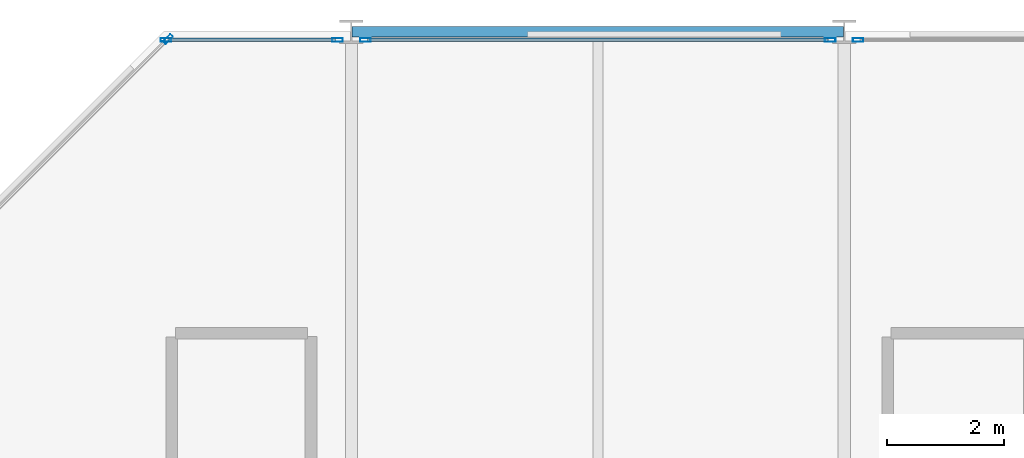
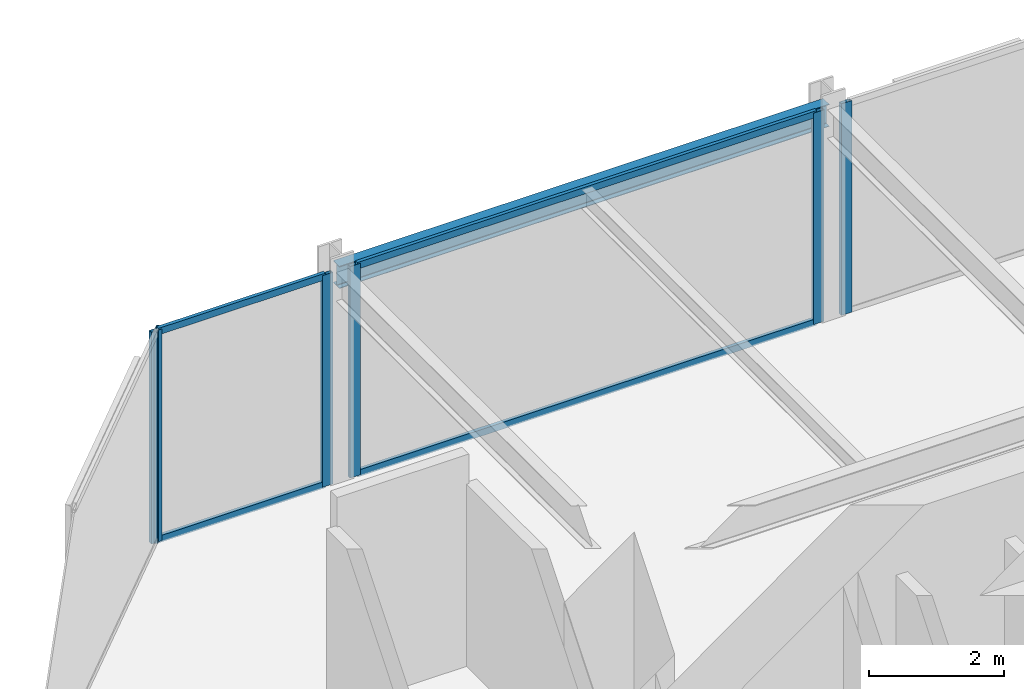
# One storey, part 21 of 29: 10 members, 1 beam, 4 elements without a shape of their own.
"""IFC4 building model written with IfcOpenShell, lengths in metres."""

from ifc_helpers import new_model, si_unit, direction, frame, origin, origin_2d, place, context, subcontext, project, spatial, hollow_rectangle, i_section, extrude, material, layer, layer_set, material_profile, profile_set, type_object, element, aggregate, save


model = new_model("IFC4")

# Units and contexts
model_context = context("Model", 3, precision=1e-05, world=origin(), true_north=direction((0.0, 1.0)))
body_context = subcontext(model_context, "Body", "Model", "MODEL_VIEW")
ifc_project = project(units=[si_unit("LENGTHUNIT", "METRE"), si_unit("AREAUNIT", "SQUARE_METRE"), si_unit("VOLUMEUNIT", "CUBIC_METRE"), si_unit("PLANEANGLEUNIT", "RADIAN"), si_unit("MASSUNIT", "GRAM", prefix="KILO")], contexts=[model_context])

# Site, building, storey
site_placement = place(None, origin())
site = spatial("IfcSite", under=ifc_project, at=site_placement, CompositionType="ELEMENT")
building_placement = place(site_placement, origin())
building = spatial("IfcBuilding", under=site, at=building_placement, Name="Nerrivon Quay Data Exchange", CompositionType="ELEMENT")
storey_placement = place(building_placement, frame((0.0, 0.0, 121.300048828125)))
storey = spatial("IfcBuildingStorey", under=building, at=storey_placement, Name="L28", CompositionType="ELEMENT", Elevation=121.300048828125)

# Beam
ifc_material_1 = material(Name="Steel Grade 350", Category="steel")
ifc_material_profile_1 = material_profile(ifc_material_1, i_section(OverallWidth=0.177978515625, OverallDepth=0.403076171875, WebThickness=0.007568359375, FlangeThickness=0.010986328125, FilletRadius=0.011474609375, at=origin_2d()), Name="410UB53.7")
ifc_profile_set_1 = profile_set([ifc_material_profile_1], Name="Steel Grade 350")
beam_type = type_object("IfcBeamType", Name="BM-SP2-410UB54", PredefinedType="SPANDREL", material=ifc_profile_set_1)
beam_placement = place(storey_placement, frame((8.41259765625, 50.39990234375, 3.62353515625), z_axis=(1.0, 0.0, 0.0), x_axis=(0.0, 1.0, 0.0)))
element("IfcBeam", 1, at=beam_placement, inside=storey, type_object=beam_type, Name="L28 EW Girder Y=50.4 (8.4..16.8)", PredefinedType="SPANDREL", context=body_context, shape_type="SweptSolid", body=[
    extrude(i_section(OverallWidth=0.177978515625, OverallDepth=0.403076171875, WebThickness=0.007568359375, FlangeThickness=0.010986328125, FilletRadius=0.011474609375, at=origin_2d()), origin(), (0.0, 0.0, 1.0), 8.375),
])

# Curtain wall, member
ifc_material_2 = material(Name="Anodised aluminium 6063-T6", Category="aluminium")
ifc_layer = layer(ifc_material_2, 0.2099609375)
ifc_layer_set = layer_set([ifc_layer], Name="Anodised aluminium 6063-T6")
curtain_wall_type = type_object("IfcCurtainWallType", Name="CW-SYS-02", PredefinedType="NOTDEFINED", material=ifc_layer_set)
curtain_wall_1_placement = place(storey_placement, origin())
curtain_wall_1 = element("IfcCurtainWall", 2, at=curtain_wall_1_placement, inside=storey, type_object=curtain_wall_type, Name="L28 Unitised Curtain Wall 17", PredefinedType="NOTDEFINED")
ifc_material_profile_2 = material_profile(ifc_material_2, hollow_rectangle(XDim=0.06494140625, YDim=0.179931640625, WallThickness=0.00341796875, at=origin_2d()), Name="ALU-MULL-180x65")
ifc_profile_set_2 = profile_set([ifc_material_profile_2], Name="Anodised aluminium 6063-T6")
member_type_1 = type_object("IfcMemberType", Name="CWM-180x65", PredefinedType="MULLION", material=ifc_profile_set_2)
member_1_placement = place(storey_placement, frame((5.2724609375, 50.2744140625, 0.0), z_axis=(0.0, 0.0, 1.0), x_axis=(-0.707106781187, 0.707106781187, 0.0)))
member_1 = element("IfcMember", 3, at=member_1_placement, type_object=member_type_1, Name="CW02 mullion 2", PredefinedType="MULLION", context=body_context, shape_type="SweptSolid", body=[
    extrude(hollow_rectangle(XDim=0.06494140625, YDim=0.179931640625, WallThickness=0.00341796875, at=origin_2d()), origin(), (0.0, 0.0, 1.0), 3.824951171875),
])
aggregate(curtain_wall_1, [member_1])

# Curtain wall, members
curtain_wall_2_placement = place(storey_placement, origin())
curtain_wall_2 = element("IfcCurtainWall", 4, at=curtain_wall_2_placement, inside=storey, type_object=curtain_wall_type, Name="L28 Unitised Curtain Wall 18", PredefinedType="NOTDEFINED")
member_2_placement = place(storey_placement, frame((5.237548828125, 50.260009765625, 0.0), z_axis=(0.0, 0.0, 1.0), x_axis=(0.0, 1.0, 0.0)))
member_2 = element("IfcMember", 5, at=member_2_placement, type_object=member_type_1, Name="CW02 mullion 1", PredefinedType="MULLION", context=body_context, shape_type="SweptSolid", body=[
    extrude(hollow_rectangle(XDim=0.06494140625, YDim=0.179931640625, WallThickness=0.00341796875, at=origin_2d()), origin(), (0.0, 0.0, 1.0), 3.824951171875),
])
member_3_placement = place(storey_placement, frame((8.16259765625, 50.260009765625, 0.0), z_axis=(0.0, 0.0, 1.0), x_axis=(0.0, 1.0, 0.0)))
member_3 = element("IfcMember", 6, at=member_3_placement, type_object=member_type_1, Name="CW02 mullion 2", PredefinedType="MULLION", context=body_context, shape_type="SweptSolid", body=[
    extrude(hollow_rectangle(XDim=0.06494140625, YDim=0.179931640625, WallThickness=0.00341796875, at=origin_2d()), origin(), (0.0, 0.0, 1.0), 3.824951171875),
])

curtain_wall_3_placement = place(storey_placement, origin())
curtain_wall_3 = element("IfcCurtainWall", 7, at=curtain_wall_3_placement, inside=storey, type_object=curtain_wall_type, Name="L28 Unitised Curtain Wall 19", PredefinedType="NOTDEFINED")
member_4_placement = place(storey_placement, frame((8.637451171875, 50.260009765625, 0.0), z_axis=(0.0, 0.0, 1.0), x_axis=(0.0, 1.0, 0.0)))
member_4 = element("IfcMember", 8, at=member_4_placement, type_object=member_type_1, Name="CW02 mullion 1", PredefinedType="MULLION", context=body_context, shape_type="SweptSolid", body=[
    extrude(hollow_rectangle(XDim=0.06494140625, YDim=0.179931640625, WallThickness=0.00341796875, at=origin_2d()), origin(), (0.0, 0.0, 1.0), 3.824951171875),
])
member_5_placement = place(storey_placement, frame((16.5625, 50.260009765625, 0.0), z_axis=(0.0, 0.0, 1.0), x_axis=(0.0, 1.0, 0.0)))
member_5 = element("IfcMember", 9, at=member_5_placement, type_object=member_type_1, Name="CW02 mullion 2", PredefinedType="MULLION", context=body_context, shape_type="SweptSolid", body=[
    extrude(hollow_rectangle(XDim=0.06494140625, YDim=0.179931640625, WallThickness=0.00341796875, at=origin_2d()), origin(), (0.0, 0.0, 1.0), 3.824951171875),
])

# Curtain wall, member
curtain_wall_4_placement = place(storey_placement, origin())
curtain_wall_4 = element("IfcCurtainWall", 10, at=curtain_wall_4_placement, inside=storey, type_object=curtain_wall_type, Name="L28 Unitised Curtain Wall 20", PredefinedType="NOTDEFINED")
member_6_placement = place(storey_placement, frame((17.03759765625, 50.260009765625, 0.0), z_axis=(0.0, 0.0, 1.0), x_axis=(0.0, 1.0, 0.0)))
member_6 = element("IfcMember", 11, at=member_6_placement, type_object=member_type_1, Name="CW02 mullion 1", PredefinedType="MULLION", context=body_context, shape_type="SweptSolid", body=[
    extrude(hollow_rectangle(XDim=0.06494140625, YDim=0.179931640625, WallThickness=0.00341796875, at=origin_2d()), origin(), (0.0, 0.0, 1.0), 3.824951171875),
])
aggregate(curtain_wall_4, [member_6])

# Member
ifc_material_profile_3 = material_profile(ifc_material_2, hollow_rectangle(XDim=0.06005859375, YDim=0.1201171875, WallThickness=0.003173828125, at=origin_2d()), Name="ALU-TRAN-120x60")
ifc_profile_set_3 = profile_set([ifc_material_profile_3], Name="Anodised aluminium 6063-T6")
member_type_2 = type_object("IfcMemberType", Name="CWT-120x60", PredefinedType="USERDEFINED", material=ifc_profile_set_3)
member_7_placement = place(storey_placement, frame((5.27490234375, 50.260009765625, 0.032470703125), z_axis=(1.0, 0.0, 0.0), x_axis=(0.0, 1.0, 0.0)))
member_7 = element("IfcMember", 12, at=member_7_placement, type_object=member_type_2, Name="CW02 transom 1.1", ObjectType="TRANSOM", PredefinedType="USERDEFINED", context=body_context, shape_type="SweptSolid", body=[
    extrude(hollow_rectangle(XDim=0.06005859375, YDim=0.1201171875, WallThickness=0.003173828125, at=origin_2d()), origin(), (0.0, 0.0, 1.0), 2.85009765625),
])

member_8_placement = place(storey_placement, frame((5.27490234375, 50.260009765625, 3.79248046875), z_axis=(1.0, 0.0, 0.0), x_axis=(0.0, 1.0, 0.0)))
member_8 = element("IfcMember", 13, at=member_8_placement, type_object=member_type_2, Name="CW02 transom 1.2", ObjectType="TRANSOM", PredefinedType="USERDEFINED", context=body_context, shape_type="SweptSolid", body=[
    extrude(hollow_rectangle(XDim=0.06005859375, YDim=0.1201171875, WallThickness=0.003173828125, at=origin_2d()), origin(), (0.0, 0.0, 1.0), 2.85009765625),
])

aggregate(curtain_wall_2, [member_2, member_3, member_7, member_8])

member_9_placement = place(storey_placement, frame((8.675048828125, 50.260009765625, 0.032470703125), z_axis=(1.0, 0.0, 0.0), x_axis=(0.0, 1.0, 0.0)))
member_9 = element("IfcMember", 14, at=member_9_placement, type_object=member_type_2, Name="CW02 transom 1.1", ObjectType="TRANSOM", PredefinedType="USERDEFINED", context=body_context, shape_type="SweptSolid", body=[
    extrude(hollow_rectangle(XDim=0.06005859375, YDim=0.1201171875, WallThickness=0.003173828125, at=origin_2d()), origin(), (0.0, 0.0, 1.0), 7.849853515625),
])

member_10_placement = place(storey_placement, frame((8.675048828125, 50.260009765625, 3.79248046875), z_axis=(1.0, 0.0, 0.0), x_axis=(0.0, 1.0, 0.0)))
member_10 = element("IfcMember", 15, at=member_10_placement, type_object=member_type_2, Name="CW02 transom 1.2", ObjectType="TRANSOM", PredefinedType="USERDEFINED", context=body_context, shape_type="SweptSolid", body=[
    extrude(hollow_rectangle(XDim=0.06005859375, YDim=0.1201171875, WallThickness=0.003173828125, at=origin_2d()), origin(), (0.0, 0.0, 1.0), 7.849853515625),
])

aggregate(curtain_wall_3, [member_4, member_5, member_9, member_10])

save(model, "model.ifc")
